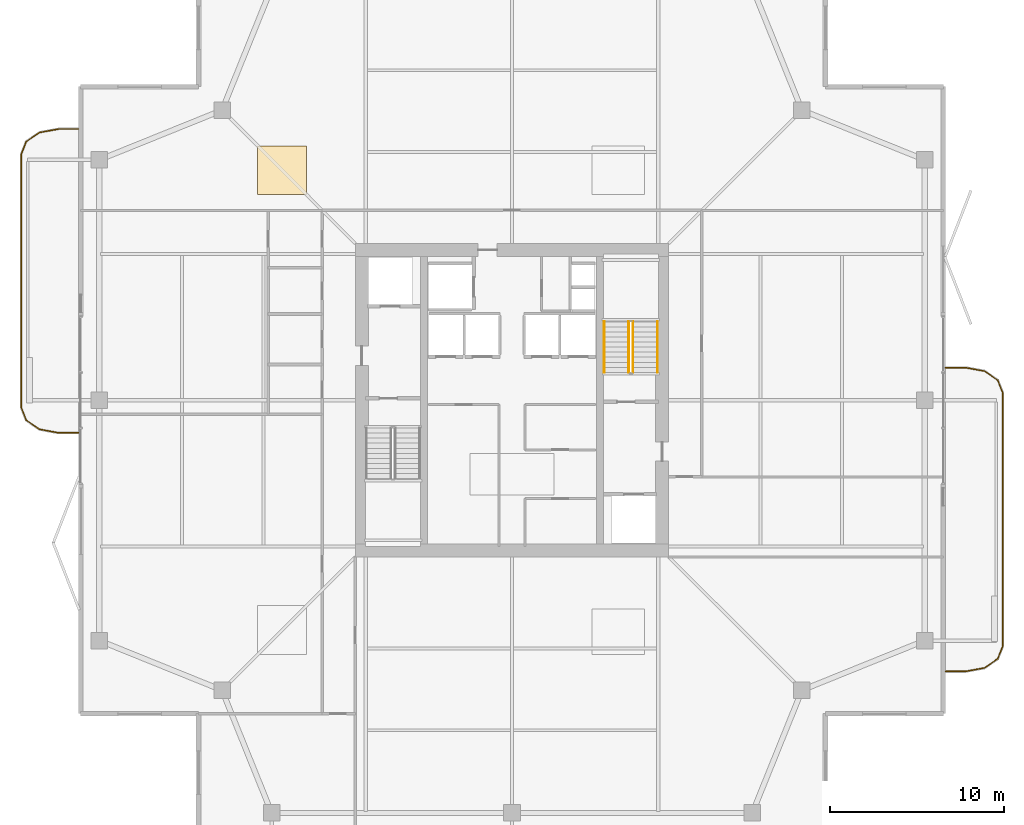
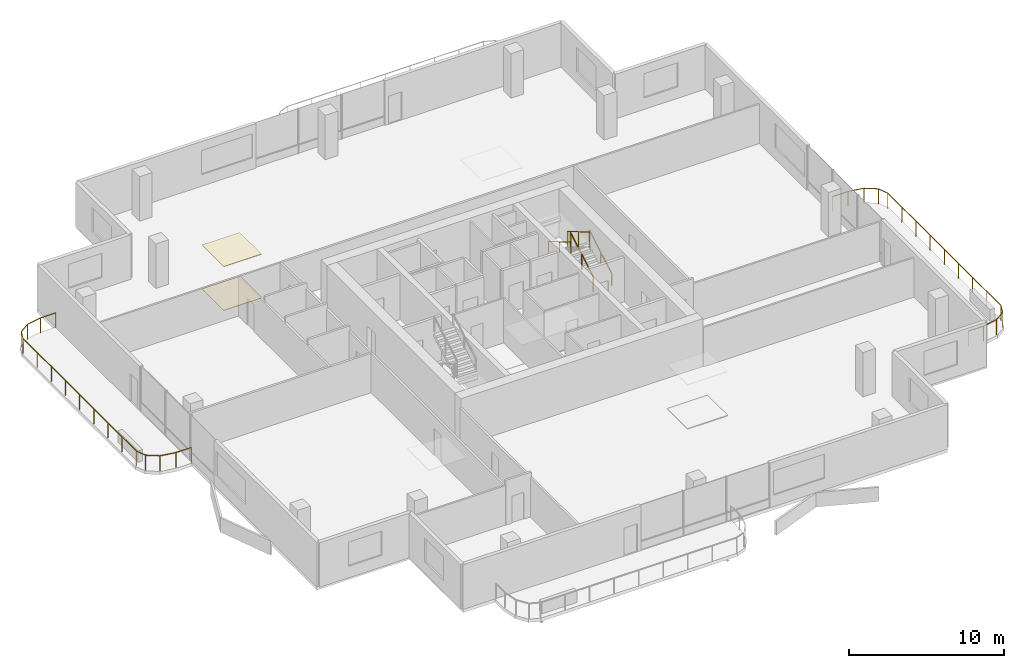
# One storey, part 22 of 23: 6 railings, 2 coverings.
"""IFC4 building model written with IfcOpenShell, lengths in metres."""

from ifc_helpers import new_model, si_unit, direction, frame, origin, origin_2d, place, context, subcontext, project, spatial, polyline, rectangle, outline, extrude, material, layer, layer_set, type_object, element, save


model = new_model("IFC4")

# Units and contexts
model_context = context("Model", 3, precision=1e-05, world=origin(), true_north=direction((0.0, 1.0)))
body_context = subcontext(model_context, "Body", "Model", "MODEL_VIEW")
ifc_project = project(units=[si_unit("LENGTHUNIT", "METRE"), si_unit("AREAUNIT", "SQUARE_METRE"), si_unit("VOLUMEUNIT", "CUBIC_METRE"), si_unit("PLANEANGLEUNIT", "RADIAN"), si_unit("MASSUNIT", "GRAM", prefix="KILO")], contexts=[model_context])

# Site, building, storey
site_placement = place(None, origin())
site = spatial("IfcSite", under=ifc_project, at=site_placement, CompositionType="ELEMENT")
building_placement = place(site_placement, origin())
building = spatial("IfcBuilding", under=site, at=building_placement, Name="Belovzor Exchange Tower", CompositionType="ELEMENT")
storey_placement = place(building_placement, frame((0.0, 0.0, 276.60009765625)))
storey = spatial("IfcBuildingStorey", under=building, at=storey_placement, Name="L69", CompositionType="ELEMENT", Elevation=276.60009765625)

# Railings
ifc_material_1 = material(Name="Stainless Steel Grade 304", Category="steel")
railing_type_1 = type_object("IfcRailingType", Name="Brushed Stainless Steel Stair Handrail 900", PredefinedType="HANDRAIL", material=ifc_material_1)
railing_1_placement = place(storey_placement, frame((37.14990234375, 30.39990234375, 0.17041015625)))
element("IfcRailing", 1, at=railing_1_placement, inside=storey, type_object=railing_type_1, Name="L69 ST-2 stair handrail 1", PredefinedType="HANDRAIL", context=body_context, shape_type="SweptSolid", body=[
    extrude(rectangle(XDim=0.048095703125, YDim=0.048095703125, at=origin_2d()), frame((0.0, 0.0, 0.8759765625), z_axis=(0.0, 0.862113265706, 0.506715617574), x_axis=(-1.0, 0.0, 0.0)), (0.0, 0.0, 1.0), 3.364013671875),
    extrude(rectangle(XDim=0.0419921875, YDim=0.0419921875, at=origin_2d()), origin(), (0.0, 0.0, 1.0), 0.851806640625),
    extrude(rectangle(XDim=0.0419921875, YDim=0.0419921875, at=origin_2d()), frame((0.0, 1.4501953125, 0.852294921875)), (0.0, 0.0, 1.0), 0.851806640625),
    extrude(rectangle(XDim=0.0419921875, YDim=0.0419921875, at=origin_2d()), frame((0.0, 2.900146484375, 1.70458984375)), (0.0, 0.0, 1.0), 0.851806640625),
])
railing_2_placement = place(storey_placement, frame((34.10009765625, 33.300048828125, 2.04541015625)))
element("IfcRailing", 2, at=railing_2_placement, inside=storey, type_object=railing_type_1, Name="L69 ST-2 stair handrail 2", PredefinedType="HANDRAIL", context=body_context, shape_type="SweptSolid", body=[
    extrude(rectangle(XDim=0.048095703125, YDim=0.048095703125, at=origin_2d()), frame((0.0, 0.0, 0.8759765625), z_axis=(0.0, -0.862113265706, 0.506715617574), x_axis=(1.0, 0.0, 0.0)), (0.0, 0.0, 1.0), 3.364013671875),
    extrude(rectangle(XDim=0.0419921875, YDim=0.0419921875, at=origin_2d()), origin(), (0.0, 0.0, 1.0), 0.851806640625),
    extrude(rectangle(XDim=0.0419921875, YDim=0.0419921875, at=origin_2d()), frame((0.0, -1.4501953125, 0.852294921875)), (0.0, 0.0, 1.0), 0.851806640625),
    extrude(rectangle(XDim=0.0419921875, YDim=0.0419921875, at=origin_2d()), frame((0.0, -2.900146484375, 1.70458984375)), (0.0, 0.0, 1.0), 0.851806640625),
])
ifc_material_2 = material(Name="Stainless Steel and Laminated Safety Glass", Category="steel")
railing_type_2 = type_object("IfcRailingType", Name="Laminated Glass & Stainless Steel Balcony Balustrade 1200", PredefinedType="BALUSTRADE", material=ifc_material_2)
railing_3_placement = place(storey_placement, frame((53.7099609375, 13.22998046875, 0.0)))
element("IfcRailing", 3, at=railing_3_placement, inside=storey, type_object=railing_type_2, Name="GR-1 Balcony Balustrade L69 East", PredefinedType="BALUSTRADE", context=body_context, shape_type="SweptSolid", body=[
    extrude(rectangle(XDim=0.048095703125, YDim=0.048095703125, at=origin_2d()), frame((0.0, 0.0, 1.17578125), z_axis=(1.0, 0.0, 0.0), x_axis=(0.0, 1.0, 0.0)), (0.0, 0.0, 1.0), 1.133056640625),
    extrude(rectangle(XDim=0.048095703125, YDim=0.048095703125, at=origin_2d()), frame((1.133056640625, 0.0, 1.17578125), z_axis=(0.983644145941, 0.180122719713, 0.0), x_axis=(-0.180122719713, 0.983644145941, 0.0)), (0.0, 0.0, 1.0), 1.09375),
    extrude(rectangle(XDim=0.048095703125, YDim=0.048095703125, at=origin_2d()), frame((2.208984375, 0.197021484375, 1.17578125), z_axis=(0.826614792125, 0.562768145367, 0.0), x_axis=(-0.562768145367, 0.826614792125, 0.0)), (0.0, 0.0, 1.0), 0.9326171875),
    extrude(rectangle(XDim=0.048095703125, YDim=0.048095703125, at=origin_2d()), frame((2.97998046875, 0.721923828125, 1.17578125), z_axis=(0.365504480807, 0.930809580156, 0.0), x_axis=(-0.930809580156, 0.365504480807, 0.0)), (0.0, 0.0, 1.0), 0.76611328125),
    extrude(rectangle(XDim=0.048095703125, YDim=0.048095703125, at=origin_2d()), frame((3.260009765625, 1.43505859375, 1.17578125), z_axis=(0.0, 1.0, 0.0), x_axis=(-1.0, 0.0, 0.0)), (0.0, 0.0, 1.0), 14.570068359375),
    extrude(rectangle(XDim=0.048095703125, YDim=0.048095703125, at=origin_2d()), frame((3.260009765625, 16.005126953125, 1.17578125), z_axis=(-0.365612923861, 0.930766990125, 0.0), x_axis=(-0.930766990125, -0.365612923861, 0.0)), (0.0, 0.0, 1.0), 0.765869140625),
    extrude(rectangle(XDim=0.048095703125, YDim=0.048095703125, at=origin_2d()), frame((2.97998046875, 16.718017578125, 1.17578125), z_axis=(-0.826614792125, 0.562768145367, 0.0), x_axis=(-0.562768145367, -0.826614792125, 0.0)), (0.0, 0.0, 1.0), 0.9326171875),
    extrude(rectangle(XDim=0.048095703125, YDim=0.048095703125, at=origin_2d()), frame((2.208984375, 17.242919921875, 1.17578125), z_axis=(-0.983644145941, 0.180122719713, 0.0), x_axis=(-0.180122719713, -0.983644145941, 0.0)), (0.0, 0.0, 1.0), 1.09375),
    extrude(rectangle(XDim=0.048095703125, YDim=0.048095703125, at=origin_2d()), frame((1.133056640625, 17.43994140625, 1.17578125), z_axis=(-1.0, 0.0, 0.0), x_axis=(0.0, -1.0, 0.0)), (0.0, 0.0, 1.0), 1.133056640625),
    extrude(rectangle(XDim=0.0419921875, YDim=0.0419921875, at=origin_2d()), origin(), (0.0, 0.0, 1.0), 1.15185546875),
    extrude(rectangle(XDim=0.0419921875, YDim=0.0419921875, at=origin_2d()), frame((1.133056640625, 0.0, 0.0)), (0.0, 0.0, 1.0), 1.15185546875),
    extrude(rectangle(XDim=0.0419921875, YDim=0.0419921875, at=origin_2d()), frame((2.208984375, 0.197021484375, 0.0)), (0.0, 0.0, 1.0), 1.15185546875),
    extrude(rectangle(XDim=0.0419921875, YDim=0.0419921875, at=origin_2d()), frame((2.97998046875, 0.721923828125, 0.0)), (0.0, 0.0, 1.0), 1.15185546875),
    extrude(rectangle(XDim=0.0419921875, YDim=0.0419921875, at=origin_2d()), frame((3.260009765625, 1.43505859375, 0.0)), (0.0, 0.0, 1.0), 1.15185546875),
    extrude(rectangle(XDim=0.0419921875, YDim=0.0419921875, at=origin_2d()), frame((3.260009765625, 3.25634765625, 0.0)), (0.0, 0.0, 1.0), 1.15185546875),
    extrude(rectangle(XDim=0.0419921875, YDim=0.0419921875, at=origin_2d()), frame((3.260009765625, 5.07763671875, 0.0)), (0.0, 0.0, 1.0), 1.15185546875),
    extrude(rectangle(XDim=0.0419921875, YDim=0.0419921875, at=origin_2d()), frame((3.260009765625, 6.89892578125, 0.0)), (0.0, 0.0, 1.0), 1.15185546875),
    extrude(rectangle(XDim=0.0419921875, YDim=0.0419921875, at=origin_2d()), frame((3.260009765625, 8.72021484375, 0.0)), (0.0, 0.0, 1.0), 1.15185546875),
    extrude(rectangle(XDim=0.0419921875, YDim=0.0419921875, at=origin_2d()), frame((3.260009765625, 10.541259765625, 0.0)), (0.0, 0.0, 1.0), 1.15185546875),
    extrude(rectangle(XDim=0.0419921875, YDim=0.0419921875, at=origin_2d()), frame((3.260009765625, 12.362548828125, 0.0)), (0.0, 0.0, 1.0), 1.15185546875),
    extrude(rectangle(XDim=0.0419921875, YDim=0.0419921875, at=origin_2d()), frame((3.260009765625, 14.183837890625, 0.0)), (0.0, 0.0, 1.0), 1.15185546875),
    extrude(rectangle(XDim=0.0419921875, YDim=0.0419921875, at=origin_2d()), frame((3.260009765625, 16.005126953125, 0.0)), (0.0, 0.0, 1.0), 1.15185546875),
    extrude(rectangle(XDim=0.0419921875, YDim=0.0419921875, at=origin_2d()), frame((2.97998046875, 16.718017578125, 0.0)), (0.0, 0.0, 1.0), 1.15185546875),
    extrude(rectangle(XDim=0.0419921875, YDim=0.0419921875, at=origin_2d()), frame((2.208984375, 17.242919921875, 0.0)), (0.0, 0.0, 1.0), 1.15185546875),
    extrude(rectangle(XDim=0.0419921875, YDim=0.0419921875, at=origin_2d()), frame((1.133056640625, 17.43994140625, 0.0)), (0.0, 0.0, 1.0), 1.15185546875),
    extrude(rectangle(XDim=0.0419921875, YDim=0.0419921875, at=origin_2d()), frame((0.0, 17.43994140625, 0.0)), (0.0, 0.0, 1.0), 1.15185546875),
])
railing_4_placement = place(storey_placement, frame((3.889892578125, 44.3701171875, 0.0)))
element("IfcRailing", 4, at=railing_4_placement, inside=storey, type_object=railing_type_2, Name="GR-1 Balcony Balustrade L69 West", PredefinedType="BALUSTRADE", context=body_context, shape_type="SweptSolid", body=[
    extrude(rectangle(XDim=0.048095703125, YDim=0.048095703125, at=origin_2d()), frame((0.0, 0.0, 1.17578125), z_axis=(-1.0, 0.0, 0.0), x_axis=(0.0, -1.0, 0.0)), (0.0, 0.0, 1.0), 1.1328125),
    extrude(rectangle(XDim=0.048095703125, YDim=0.048095703125, at=origin_2d()), frame((-1.1328125, 0.0, 1.17578125), z_axis=(-0.983651385113, -0.180083182347, 0.0), x_axis=(0.180083182347, -0.983651385113, 0.0)), (0.0, 0.0, 1.0), 1.093994140625),
    extrude(rectangle(XDim=0.048095703125, YDim=0.048095703125, at=origin_2d()), frame((-2.208984375, -0.197021484375, 1.17578125), z_axis=(-0.826493025367, -0.56294695933, 0.0), x_axis=(0.56294695933, -0.826493025367, 0.0)), (0.0, 0.0, 1.0), 0.932861328125),
    extrude(rectangle(XDim=0.048095703125, YDim=0.048095703125, at=origin_2d()), frame((-2.97998046875, -0.72216796875, 1.17578125), z_axis=(-0.365612923861, -0.930766990125, 0.0), x_axis=(0.930766990125, -0.365612923861, 0.0)), (0.0, 0.0, 1.0), 0.765869140625),
    extrude(rectangle(XDim=0.048095703125, YDim=0.048095703125, at=origin_2d()), frame((-3.260009765625, -1.43505859375, 1.17578125), z_axis=(0.0, -1.0, 0.0), x_axis=(1.0, 0.0, 0.0)), (0.0, 0.0, 1.0), 14.570068359375),
    extrude(rectangle(XDim=0.048095703125, YDim=0.048095703125, at=origin_2d()), frame((-3.260009765625, -16.005126953125, 1.17578125), z_axis=(0.365612923861, -0.930766990125, 0.0), x_axis=(0.930766990125, 0.365612923861, 0.0)), (0.0, 0.0, 1.0), 0.765869140625),
    extrude(rectangle(XDim=0.048095703125, YDim=0.048095703125, at=origin_2d()), frame((-2.97998046875, -16.718017578125, 1.17578125), z_axis=(0.826493025367, -0.56294695933, 0.0), x_axis=(0.56294695933, 0.826493025367, 0.0)), (0.0, 0.0, 1.0), 0.932861328125),
    extrude(rectangle(XDim=0.048095703125, YDim=0.048095703125, at=origin_2d()), frame((-2.208984375, -17.2431640625, 1.17578125), z_axis=(0.983651385113, -0.180083182347, 0.0), x_axis=(0.180083182347, 0.983651385113, 0.0)), (0.0, 0.0, 1.0), 1.093994140625),
    extrude(rectangle(XDim=0.048095703125, YDim=0.048095703125, at=origin_2d()), frame((-1.1328125, -17.440185546875, 1.17578125), z_axis=(1.0, 0.0, 0.0), x_axis=(0.0, 1.0, 0.0)), (0.0, 0.0, 1.0), 1.1328125),
    extrude(rectangle(XDim=0.0419921875, YDim=0.0419921875, at=origin_2d()), origin(), (0.0, 0.0, 1.0), 1.15185546875),
    extrude(rectangle(XDim=0.0419921875, YDim=0.0419921875, at=origin_2d()), frame((-1.1328125, 0.0, 0.0)), (0.0, 0.0, 1.0), 1.15185546875),
    extrude(rectangle(XDim=0.0419921875, YDim=0.0419921875, at=origin_2d()), frame((-2.208984375, -0.197021484375, 0.0)), (0.0, 0.0, 1.0), 1.15185546875),
    extrude(rectangle(XDim=0.0419921875, YDim=0.0419921875, at=origin_2d()), frame((-2.97998046875, -0.72216796875, 0.0)), (0.0, 0.0, 1.0), 1.15185546875),
    extrude(rectangle(XDim=0.0419921875, YDim=0.0419921875, at=origin_2d()), frame((-3.260009765625, -1.43505859375, 0.0)), (0.0, 0.0, 1.0), 1.15185546875),
    extrude(rectangle(XDim=0.0419921875, YDim=0.0419921875, at=origin_2d()), frame((-3.260009765625, -3.25634765625, 0.0)), (0.0, 0.0, 1.0), 1.15185546875),
    extrude(rectangle(XDim=0.0419921875, YDim=0.0419921875, at=origin_2d()), frame((-3.260009765625, -5.07763671875, 0.0)), (0.0, 0.0, 1.0), 1.15185546875),
    extrude(rectangle(XDim=0.0419921875, YDim=0.0419921875, at=origin_2d()), frame((-3.260009765625, -6.89892578125, 0.0)), (0.0, 0.0, 1.0), 1.15185546875),
    extrude(rectangle(XDim=0.0419921875, YDim=0.0419921875, at=origin_2d()), frame((-3.260009765625, -8.72021484375, 0.0)), (0.0, 0.0, 1.0), 1.15185546875),
    extrude(rectangle(XDim=0.0419921875, YDim=0.0419921875, at=origin_2d()), frame((-3.260009765625, -10.541259765625, 0.0)), (0.0, 0.0, 1.0), 1.15185546875),
    extrude(rectangle(XDim=0.0419921875, YDim=0.0419921875, at=origin_2d()), frame((-3.260009765625, -12.362548828125, 0.0)), (0.0, 0.0, 1.0), 1.15185546875),
    extrude(rectangle(XDim=0.0419921875, YDim=0.0419921875, at=origin_2d()), frame((-3.260009765625, -14.183837890625, 0.0)), (0.0, 0.0, 1.0), 1.15185546875),
    extrude(rectangle(XDim=0.0419921875, YDim=0.0419921875, at=origin_2d()), frame((-3.260009765625, -16.005126953125, 0.0)), (0.0, 0.0, 1.0), 1.15185546875),
    extrude(rectangle(XDim=0.0419921875, YDim=0.0419921875, at=origin_2d()), frame((-2.97998046875, -16.718017578125, 0.0)), (0.0, 0.0, 1.0), 1.15185546875),
    extrude(rectangle(XDim=0.0419921875, YDim=0.0419921875, at=origin_2d()), frame((-2.208984375, -17.2431640625, 0.0)), (0.0, 0.0, 1.0), 1.15185546875),
    extrude(rectangle(XDim=0.0419921875, YDim=0.0419921875, at=origin_2d()), frame((-1.1328125, -17.440185546875, 0.0)), (0.0, 0.0, 1.0), 1.15185546875),
    extrude(rectangle(XDim=0.0419921875, YDim=0.0419921875, at=origin_2d()), frame((0.0, -17.440185546875, 0.0)), (0.0, 0.0, 1.0), 1.15185546875),
])
ifc_material_3 = material(Name="Steel S355", Category="steel")
railing_type_3 = type_object("IfcRailingType", Name="Painted Steel Stairwell Guardrail 1200", PredefinedType="GUARDRAIL", material=ifc_material_3)
railing_5_placement = place(storey_placement, frame((35.75, 30.39990234375, 0.17041015625)))
element("IfcRailing", 5, at=railing_5_placement, inside=storey, type_object=railing_type_3, Name="L69 ST-2 stair guard 1", PredefinedType="GUARDRAIL", context=body_context, shape_type="SweptSolid", body=[
    extrude(rectangle(XDim=0.048095703125, YDim=0.048095703125, at=origin_2d()), frame((0.0, 0.0, 1.17578125), z_axis=(0.0, 0.862113265706, 0.506715617574), x_axis=(-1.0, 0.0, 0.0)), (0.0, 0.0, 1.0), 3.364013671875),
    extrude(rectangle(XDim=0.0419921875, YDim=0.0419921875, at=origin_2d()), origin(), (0.0, 0.0, 1.0), 1.15185546875),
    extrude(rectangle(XDim=0.0419921875, YDim=0.0419921875, at=origin_2d()), frame((0.0, 1.4501953125, 0.852294921875)), (0.0, 0.0, 1.0), 1.15185546875),
    extrude(rectangle(XDim=0.0419921875, YDim=0.0419921875, at=origin_2d()), frame((0.0, 2.900146484375, 1.70458984375)), (0.0, 0.0, 1.0), 1.15185546875),
])
railing_6_placement = place(storey_placement, frame((35.5, 33.300048828125, 2.04541015625)))
element("IfcRailing", 6, at=railing_6_placement, inside=storey, type_object=railing_type_3, Name="L69 ST-2 stair guard 3", PredefinedType="GUARDRAIL", context=body_context, shape_type="SweptSolid", body=[
    extrude(rectangle(XDim=0.048095703125, YDim=0.048095703125, at=origin_2d()), frame((0.0, 0.0, 1.17578125), z_axis=(0.0, -0.862113265706, 0.506715617574), x_axis=(1.0, 0.0, 0.0)), (0.0, 0.0, 1.0), 3.364013671875),
    extrude(rectangle(XDim=0.0419921875, YDim=0.0419921875, at=origin_2d()), origin(), (0.0, 0.0, 1.0), 1.15185546875),
    extrude(rectangle(XDim=0.0419921875, YDim=0.0419921875, at=origin_2d()), frame((0.0, -1.4501953125, 0.852294921875)), (0.0, 0.0, 1.0), 1.15185546875),
    extrude(rectangle(XDim=0.0419921875, YDim=0.0419921875, at=origin_2d()), frame((0.0, -2.900146484375, 1.70458984375)), (0.0, 0.0, 1.0), 1.15185546875),
])

# Coverings
ifc_material_4 = material(Name="Perforated Powder-Coated Aluminium", Category="aluminium")
ifc_layer_1 = layer(ifc_material_4, 0.06005859375)
ifc_layer_set_1 = layer_set([ifc_layer_1], Name="Perforated Powder-Coated Aluminium")
covering_type_1 = type_object("IfcCoveringType", Name="Perforated Acoustic Metal Tile Suspended Ceiling 60", PredefinedType="CEILING", material=ifc_layer_set_1)
covering_1_placement = place(storey_placement, frame((0.0, 0.0, 3.43994140625)))
element("IfcCovering", 7, at=covering_1_placement, inside=storey, type_object=covering_type_1, Name="CLG-AC60 Suspended Ceiling CLG-L69-Z3", PredefinedType="CEILING", context=body_context, shape_type="SweptSolid", body=[
    extrude(outline(polyline([(14.199951171875, 40.60009765625), (17.0, 40.60009765625), (17.0, 43.39990234375), (14.199951171875, 43.39990234375), (14.199951171875, 40.60009765625)])), origin(), (0.0, 0.0, 1.0), 0.06005859375),
])
ifc_material_5 = material(Name="Polished Natural Granite Tile", Category="masonry")
ifc_layer_2 = layer(ifc_material_5, 0.050048828125)
ifc_layer_set_2 = layer_set([ifc_layer_2], Name="Polished Natural Granite Tile")
covering_type_2 = type_object("IfcCoveringType", Name="Polished Karelian Granite & Raised Access Floor Finish 50", PredefinedType="FLOORING", material=ifc_layer_set_2)
covering_2_placement = place(storey_placement, origin())
element("IfcCovering", 8, at=covering_2_placement, inside=storey, type_object=covering_type_2, Name="FLR-GR50 Floor Finish FLR-L69-Z3", PredefinedType="FLOORING", context=body_context, shape_type="SweptSolid", body=[
    extrude(outline(polyline([(14.199951171875, 40.60009765625), (17.0, 40.60009765625), (17.0, 43.39990234375), (14.199951171875, 43.39990234375), (14.199951171875, 40.60009765625)])), origin(), (0.0, 0.0, 1.0), 0.0498046875),
])

save(model, "model.ifc")
